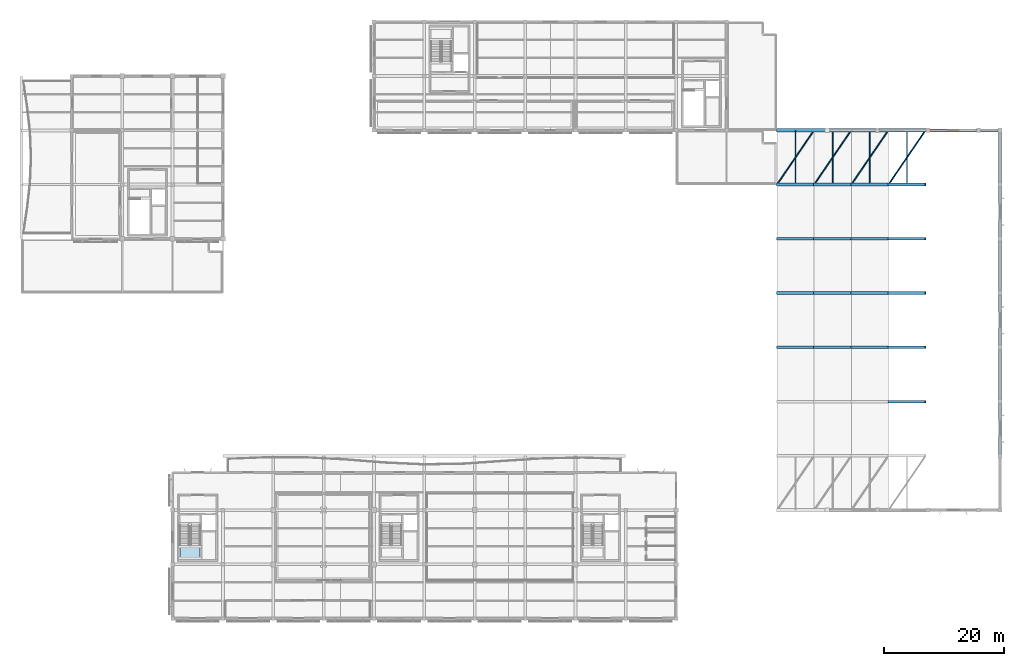
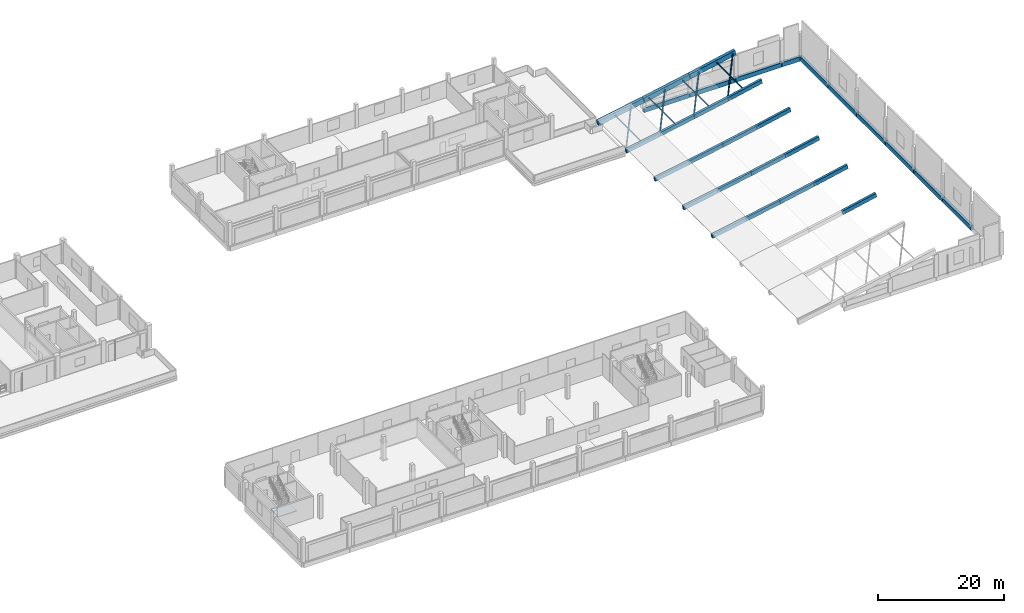
# One storey, part 4 of 34: 30 beams, 8 members, 1 slab, 1 element without a shape of its own.
"""IFC4 building model written with IfcOpenShell, lengths in metres."""

import ifcopenshell
import ifcopenshell.guid

model = None  # the IFC model being written
_history = None  # IfcOwnerHistory: only IFC2X3 demands one
_inside = {}  # id of a spatial element -> (the spatial element, [elements in it])
_under = {}  # id of a project, library or spatial element -> (it, [spatial elements below it])
_declared = {}  # id of a project -> (the project, [libraries it declares])
_typed = {}  # id of a type object -> (the type object, [elements of that type])
_made_of = {}  # id of a material, layer set ... -> (it, [elements and type objects made of it])


def new_model(schema):
    """Start an empty IFC model of exactly this schema.

    Asked for "IFC4X3", IfcOpenShell would pick the latest addendum, in which some entities
    have other attributes; the version numbers below select the first issue.
    IFC2X3 requires an IfcOwnerHistory on every rooted entity: one is made here for all.
    """
    global model, _history
    if schema == "IFC4X3":
        model = ifcopenshell.file(schema_version=(4, 3, 0, 0))
    else:
        model = ifcopenshell.file(schema=schema)
    _inside.clear()
    _under.clear()
    _declared.clear()
    _typed.clear()
    _made_of.clear()
    _history = None
    if model.schema == "IFC2X3":
        org = make("IfcOrganization", Name="unknown")
        user = make(
            "IfcPersonAndOrganization",
            ThePerson=make("IfcPerson", FamilyName="unknown"),
            TheOrganization=org,
        )
        app = make(
            "IfcApplication",
            ApplicationDeveloper=org,
            Version="unknown",
            ApplicationFullName="unknown",
            ApplicationIdentifier="unknown",
        )
        _history = make(
            "IfcOwnerHistory",
            OwningUser=user,
            OwningApplication=app,
            ChangeAction="ADDED",
            CreationDate=0,
        )
    return model


def make(cls, **values):
    """One entity of the class cls with the attributes given. An attribute that is None is left unset."""
    return model.create_entity(
        cls, **{name: value for name, value in values.items() if value is not None}
    )


def rooted(cls, **values):
    """An entity with a GlobalId (a new one), such as an element, a storey or a relation."""
    return make(cls, GlobalId=ifcopenshell.guid.new(), OwnerHistory=_history, **values)


def si_unit(unit_type, name, prefix=None):
    """IfcSIUnit, for example si_unit("LENGTHUNIT", "METRE", prefix="MILLI")."""
    return make("IfcSIUnit", UnitType=unit_type, Prefix=prefix, Name=name)


def assignment(units):
    """IfcUnitAssignment: the units of a project."""
    return None if units is None else make("IfcUnitAssignment", Units=units)


def point(xyz):
    """IfcCartesianPoint."""
    return None if xyz is None else make("IfcCartesianPoint", Coordinates=xyz)


def direction(xyz):
    """IfcDirection."""
    return None if xyz is None else make("IfcDirection", DirectionRatios=xyz)


def frame(location, z_axis=None, x_axis=None):
    """IfcAxis2Placement3D, a coordinate frame: its origin and axes. An axis left out is left unset."""
    return make(
        "IfcAxis2Placement3D",
        Location=point(location),
        Axis=direction(z_axis),
        RefDirection=direction(x_axis),
    )


def frame_2d(location, x_axis=None):
    """IfcAxis2Placement2D, a coordinate frame in the plane: its origin and x axis."""
    return make(
        "IfcAxis2Placement2D", Location=point(location), RefDirection=direction(x_axis)
    )


def origin():
    """The frame at (0, 0, 0) with its axes left unset."""
    return frame((0.0, 0.0, 0.0))


def origin_2d():
    """The frame at (0, 0) in the plane with its x axis left unset."""
    return frame_2d((0.0, 0.0))


def place(relative_to, where):
    """IfcLocalPlacement: puts the frame where relative to a parent placement (None: the world)."""
    return make(
        "IfcLocalPlacement", PlacementRelTo=relative_to, RelativePlacement=where
    )


def context(
    kind, dimensions, precision=None, world=None, true_north=None, identifier=None
):
    """IfcGeometricRepresentationContext, for example the 3D "Model" context."""
    return make(
        "IfcGeometricRepresentationContext",
        ContextIdentifier=identifier,
        ContextType=kind,
        CoordinateSpaceDimension=dimensions,
        Precision=precision,
        WorldCoordinateSystem=world,
        TrueNorth=true_north,
    )


def subcontext(parent, identifier, kind, view, scale=None):
    """IfcGeometricRepresentationSubContext, for example "Body" below "Model"."""
    return make(
        "IfcGeometricRepresentationSubContext",
        ContextIdentifier=identifier,
        ContextType=kind,
        ParentContext=parent,
        TargetScale=scale,
        TargetView=view,
    )


def project(units=None, contexts=None):
    """IfcProject with its units and contexts."""
    return rooted(
        "IfcProject",
        Name="project",
        RepresentationContexts=contexts,
        UnitsInContext=assignment(units),
    )


def spatial(cls, under=None, at=None, **own):
    """A site, building, storey or space (cls), placed at a placement, below another one or the project."""
    s = rooted(cls, ObjectPlacement=at, **own)
    if under is not None:
        _under.setdefault(under.id(), (under, []))[1].append(s)
    return s


def polyline(points):
    """IfcPolyline through the points."""
    return make("IfcPolyline", Points=[point(p) for p in points])


def profile(cls, at=None, kind="AREA", **sizes):
    """A parametric profile (cls). Its sizes go by their IFC names, for example OverallWidth=200.0."""
    return make(cls, ProfileType=kind, Position=at, **sizes)


def rectangle(**sizes):
    """IfcRectangleProfileDef."""
    return profile("IfcRectangleProfileDef", **sizes)


def hollow_circle(**sizes):
    """IfcCircleHollowProfileDef."""
    return profile("IfcCircleHollowProfileDef", **sizes)


def outline(outer, holes=None, kind="AREA"):
    """IfcArbitraryClosedProfileDef: a profile drawn as a closed curve; with holes, ...WithVoids."""
    if holes is None:
        return make("IfcArbitraryClosedProfileDef", ProfileType=kind, OuterCurve=outer)
    return make(
        "IfcArbitraryProfileDefWithVoids",
        ProfileType=kind,
        OuterCurve=outer,
        InnerCurves=holes,
    )


def extrude(swept, where, along, depth):
    """IfcExtrudedAreaSolid: the profile swept, set in the frame where, extruded along a direction by depth."""
    return make(
        "IfcExtrudedAreaSolid",
        SweptArea=swept,
        Position=where,
        ExtrudedDirection=direction(along),
        Depth=depth,
    )


def shape(context_of_items, identifier, shape_type, items):
    """IfcShapeRepresentation: the items that make up one representation, for example the "Body"."""
    return make(
        "IfcShapeRepresentation",
        ContextOfItems=context_of_items,
        RepresentationIdentifier=identifier,
        RepresentationType=shape_type,
        Items=items,
    )


def material(Name=None, Category=None):
    """IfcMaterial."""
    return make("IfcMaterial", Name=Name, Category=Category)


def layer(
    of_material, thickness, ventilated=None, Name=None, Category=None, Priority=None
):
    """IfcMaterialLayer: one layer of a wall or slab, of a material (None: an air gap)."""
    return make(
        "IfcMaterialLayer",
        Material=of_material,
        LayerThickness=thickness,
        IsVentilated=ventilated,
        Name=Name,
        Category=Category,
        Priority=Priority,
    )


def layer_set(layers, Name=None):
    """IfcMaterialLayerSet."""
    return make("IfcMaterialLayerSet", MaterialLayers=layers, LayerSetName=Name)


def material_profile(
    of_material, cross_section, Name=None, Category=None, Priority=None
):
    """IfcMaterialProfile: a cross section and its material."""
    return make(
        "IfcMaterialProfile",
        Name=Name,
        Material=of_material,
        Profile=cross_section,
        Priority=Priority,
        Category=Category,
    )


def profile_set(profiles, Name=None, composite=None):
    """IfcMaterialProfileSet."""
    return make(
        "IfcMaterialProfileSet",
        Name=Name,
        MaterialProfiles=profiles,
        CompositeProfile=composite,
    )


def made_of(thing, what):
    """Note that an element or type object is made of a material, layer set ...; save() writes the relation."""
    if what is not None:
        _made_of.setdefault(what.id(), (what, []))[1].append(thing)
    return thing


def type_object(cls, material=None, **own):
    """A type object (cls), such as IfcWallType, which elements share."""
    return made_of(rooted(cls, **own), material)


def element(
    cls,
    number,
    at=None,
    inside=None,
    cuts=None,
    type_object=None,
    material=None,
    context=None,
    identifier="Body",
    shape_type=None,
    held_by="IfcProductDefinitionShape",
    body=None,
    shapes=None,
    **own,
):
    """One element of the class cls, such as IfcWall. Its Tag is "e" and its number.

    at: its placement. inside: the storey or other place that contains it. cuts: it is an
    opening in that element (IfcRelVoidsElement). A single representation is given by context,
    identifier, shape_type and body (its items); several are given by shapes. held_by: the class
    of the entity that holds the representations. save() writes the other relations.
    """
    e = rooted(cls, Tag="e%d" % number, ObjectPlacement=at, **own)
    if body is not None:
        shapes = [shape(context, identifier, shape_type, body)]
    if shapes is not None:
        e.Representation = make(held_by, Representations=shapes)
    if inside is not None:
        _inside.setdefault(inside.id(), (inside, []))[1].append(e)
    if cuts is not None:
        rooted(
            "IfcRelVoidsElement", RelatingBuildingElement=cuts, RelatedOpeningElement=e
        )
    if type_object is not None:
        _typed.setdefault(type_object.id(), (type_object, []))[1].append(e)
    return made_of(e, material)


def aggregate(whole, parts):
    """IfcRelAggregates: a whole, such as a stair, and the parts it consists of."""
    return rooted("IfcRelAggregates", RelatingObject=whole, RelatedObjects=parts)


def save(model, path):
    """Write the relations noted so far, then the file.

    IfcRelAggregates (storeys below a building ...), IfcRelContainedInSpatialStructure (elements
    in a storey), IfcRelDefinesByType, IfcRelAssociatesMaterial and IfcRelDeclares: one each for
    every whole, place, type object, material and project.
    """
    for whole, parts in _under.values():
        aggregate(whole, parts)
    for where, things in _inside.values():
        rooted(
            "IfcRelContainedInSpatialStructure",
            RelatedElements=things,
            RelatingStructure=where,
        )
    for kind, things in _typed.values():
        rooted("IfcRelDefinesByType", RelatedObjects=things, RelatingType=kind)
    for what, things in _made_of.values():
        rooted("IfcRelAssociatesMaterial", RelatedObjects=things, RelatingMaterial=what)
    for by, libraries in _declared.values():
        rooted("IfcRelDeclares", RelatingContext=by, RelatedDefinitions=libraries)
    model.write(path)


model = new_model("IFC4")

# Units and contexts
model_context = context("Model", 3, precision=1e-05, world=origin(), true_north=direction((0.0, 1.0)))
body_context = subcontext(model_context, "Body", "Model", "MODEL_VIEW")
ifc_project = project(units=[si_unit("LENGTHUNIT", "METRE"), si_unit("AREAUNIT", "SQUARE_METRE"), si_unit("VOLUMEUNIT", "CUBIC_METRE"), si_unit("PLANEANGLEUNIT", "RADIAN"), si_unit("MASSUNIT", "GRAM", prefix="KILO")], contexts=[model_context])

# Site, building, storey
site_placement = place(None, origin())
site = spatial("IfcSite", under=ifc_project, at=site_placement, CompositionType="ELEMENT")
building_placement = place(site_placement, origin())
building = spatial("IfcBuilding", under=site, at=building_placement, Name="Khurvash Pelagic Aquarium", CompositionType="ELEMENT")
storey_placement = place(building_placement, frame((0.0, 0.0, 15.60009765625)))
storey = spatial("IfcBuildingStorey", under=building, at=storey_placement, Name="L03", CompositionType="ELEMENT", Elevation=15.60009765625)

# Beams
ifc_material_1 = material(Name="Steel-fibre concrete C40/50", Category="concrete")
ifc_material_profile_1 = material_profile(ifc_material_1, rectangle(XDim=0.449951171875, YDim=0.75, at=origin_2d()), Name="RC450X750")
ifc_profile_set_1 = profile_set([ifc_material_profile_1], Name="Steel-fibre concrete C40/50")
beam_type_1 = type_object("IfcBeamType", Name="BM-06", PredefinedType="BEAM", material=ifc_profile_set_1)
beam_1_placement = place(storey_placement, frame((144.610107421875, 38.800048828125, 3.6328125), z_axis=(0.977938462299, 0.0, 0.208893187913), x_axis=(0.0, 1.0, 0.0)))
element("IfcBeam", 1, at=beam_1_placement, inside=storey, type_object=beam_type_1, Name="Wave Shell Arch Rib BM-06 Grid F Seg 4", PredefinedType="BEAM", context=body_context, shape_type="SweptSolid", body=[
    extrude(rectangle(XDim=0.449951171875, YDim=0.75, at=origin_2d()), origin(), (0.0, 0.0, 1.0), 6.3193359375),
])
beam_2_placement = place(storey_placement, frame((126.010009765625, 47.85009765625, 0.072998046875), z_axis=(0.983411085361, 0.0, 0.181390840973), x_axis=(0.0, 1.0, 0.0)))
element("IfcBeam", 2, at=beam_2_placement, inside=storey, type_object=beam_type_1, Name="Wave Shell Arch Rib BM-06 Grid G Seg 1", PredefinedType="BEAM", context=body_context, shape_type="SweptSolid", body=[
    extrude(rectangle(XDim=0.449951171875, YDim=0.75, at=origin_2d()), origin(), (0.0, 0.0, 1.0), 6.2841796875),
])
beam_3_placement = place(storey_placement, frame((132.2099609375, 47.85009765625, 1.212890625), z_axis=(0.982256617998, 0.0, 0.187541825733), x_axis=(0.0, 1.0, 0.0)))
element("IfcBeam", 3, at=beam_3_placement, inside=storey, type_object=beam_type_1, Name="Wave Shell Arch Rib BM-06 Grid G Seg 2", PredefinedType="BEAM", context=body_context, shape_type="SweptSolid", body=[
    extrude(rectangle(XDim=0.449951171875, YDim=0.75, at=origin_2d()), origin(), (0.0, 0.0, 1.0), 6.29150390625),
])
beam_4_placement = place(storey_placement, frame((138.409912109375, 47.85009765625, 2.392822265625), z_axis=(0.980459825259, 0.0, 0.196719422157), x_axis=(0.0, 1.0, 0.0)))
element("IfcBeam", 4, at=beam_4_placement, inside=storey, type_object=beam_type_1, Name="Wave Shell Arch Rib BM-06 Grid G Seg 3", PredefinedType="BEAM", context=body_context, shape_type="SweptSolid", body=[
    extrude(rectangle(XDim=0.449951171875, YDim=0.75, at=origin_2d()), origin(), (0.0, 0.0, 1.0), 6.30322265625),
])
beam_5_placement = place(storey_placement, frame((144.610107421875, 47.85009765625, 3.6328125), z_axis=(0.977938462299, 0.0, 0.208893187913), x_axis=(0.0, 1.0, 0.0)))
element("IfcBeam", 5, at=beam_5_placement, inside=storey, type_object=beam_type_1, Name="Wave Shell Arch Rib BM-06 Grid G Seg 4", PredefinedType="BEAM", context=body_context, shape_type="SweptSolid", body=[
    extrude(rectangle(XDim=0.449951171875, YDim=0.75, at=origin_2d()), origin(), (0.0, 0.0, 1.0), 6.3193359375),
])
beam_6_placement = place(storey_placement, frame((126.010009765625, 56.89990234375, 0.072998046875), z_axis=(0.983411085361, 0.0, 0.181390840973), x_axis=(0.0, 1.0, 0.0)))
element("IfcBeam", 6, at=beam_6_placement, inside=storey, type_object=beam_type_1, Name="Wave Shell Arch Rib BM-06 Grid H Seg 1", PredefinedType="BEAM", context=body_context, shape_type="SweptSolid", body=[
    extrude(rectangle(XDim=0.449951171875, YDim=0.75, at=origin_2d()), origin(), (0.0, 0.0, 1.0), 6.2841796875),
])
beam_7_placement = place(storey_placement, frame((132.2099609375, 56.89990234375, 1.212890625), z_axis=(0.982256617998, 0.0, 0.187541825733), x_axis=(0.0, 1.0, 0.0)))
element("IfcBeam", 7, at=beam_7_placement, inside=storey, type_object=beam_type_1, Name="Wave Shell Arch Rib BM-06 Grid H Seg 2", PredefinedType="BEAM", context=body_context, shape_type="SweptSolid", body=[
    extrude(rectangle(XDim=0.449951171875, YDim=0.75, at=origin_2d()), origin(), (0.0, 0.0, 1.0), 6.29150390625),
])
beam_8_placement = place(storey_placement, frame((138.409912109375, 56.89990234375, 2.392822265625), z_axis=(0.980459825259, 0.0, 0.196719422157), x_axis=(0.0, 1.0, 0.0)))
element("IfcBeam", 8, at=beam_8_placement, inside=storey, type_object=beam_type_1, Name="Wave Shell Arch Rib BM-06 Grid H Seg 3", PredefinedType="BEAM", context=body_context, shape_type="SweptSolid", body=[
    extrude(rectangle(XDim=0.449951171875, YDim=0.75, at=origin_2d()), origin(), (0.0, 0.0, 1.0), 6.30322265625),
])
beam_9_placement = place(storey_placement, frame((144.610107421875, 56.89990234375, 3.6328125), z_axis=(0.977938462299, 0.0, 0.208893187913), x_axis=(0.0, 1.0, 0.0)))
element("IfcBeam", 9, at=beam_9_placement, inside=storey, type_object=beam_type_1, Name="Wave Shell Arch Rib BM-06 Grid H Seg 4", PredefinedType="BEAM", context=body_context, shape_type="SweptSolid", body=[
    extrude(rectangle(XDim=0.449951171875, YDim=0.75, at=origin_2d()), origin(), (0.0, 0.0, 1.0), 6.3193359375),
])
beam_10_placement = place(storey_placement, frame((126.010009765625, 65.949951171875, 0.072998046875), z_axis=(0.983411085361, 0.0, 0.181390840973), x_axis=(0.0, 1.0, 0.0)))
element("IfcBeam", 10, at=beam_10_placement, inside=storey, type_object=beam_type_1, Name="Wave Shell Arch Rib BM-06 Grid J Seg 1", PredefinedType="BEAM", context=body_context, shape_type="SweptSolid", body=[
    extrude(rectangle(XDim=0.449951171875, YDim=0.75, at=origin_2d()), origin(), (0.0, 0.0, 1.0), 6.2841796875),
])
beam_11_placement = place(storey_placement, frame((132.2099609375, 65.949951171875, 1.212890625), z_axis=(0.982256617998, 0.0, 0.187541825733), x_axis=(0.0, 1.0, 0.0)))
element("IfcBeam", 11, at=beam_11_placement, inside=storey, type_object=beam_type_1, Name="Wave Shell Arch Rib BM-06 Grid J Seg 2", PredefinedType="BEAM", context=body_context, shape_type="SweptSolid", body=[
    extrude(rectangle(XDim=0.449951171875, YDim=0.75, at=origin_2d()), origin(), (0.0, 0.0, 1.0), 6.29150390625),
])
beam_12_placement = place(storey_placement, frame((138.409912109375, 65.949951171875, 2.392822265625), z_axis=(0.980459825259, 0.0, 0.196719422157), x_axis=(0.0, 1.0, 0.0)))
element("IfcBeam", 12, at=beam_12_placement, inside=storey, type_object=beam_type_1, Name="Wave Shell Arch Rib BM-06 Grid J Seg 3", PredefinedType="BEAM", context=body_context, shape_type="SweptSolid", body=[
    extrude(rectangle(XDim=0.449951171875, YDim=0.75, at=origin_2d()), origin(), (0.0, 0.0, 1.0), 6.30322265625),
])
beam_13_placement = place(storey_placement, frame((144.610107421875, 65.949951171875, 3.6328125), z_axis=(0.977938462299, 0.0, 0.208893187913), x_axis=(0.0, 1.0, 0.0)))
element("IfcBeam", 13, at=beam_13_placement, inside=storey, type_object=beam_type_1, Name="Wave Shell Arch Rib BM-06 Grid J Seg 4", PredefinedType="BEAM", context=body_context, shape_type="SweptSolid", body=[
    extrude(rectangle(XDim=0.449951171875, YDim=0.75, at=origin_2d()), origin(), (0.0, 0.0, 1.0), 6.3193359375),
])
beam_14_placement = place(storey_placement, frame((126.010009765625, 75.0, 0.072998046875), z_axis=(0.983411085361, 0.0, 0.181390840973), x_axis=(0.0, 1.0, 0.0)))
element("IfcBeam", 14, at=beam_14_placement, inside=storey, type_object=beam_type_1, Name="Wave Shell Arch Rib BM-06 Grid K Seg 1", PredefinedType="BEAM", context=body_context, shape_type="SweptSolid", body=[
    extrude(rectangle(XDim=0.449951171875, YDim=0.75, at=origin_2d()), origin(), (0.0, 0.0, 1.0), 6.2841796875),
])
beam_15_placement = place(storey_placement, frame((132.2099609375, 75.0, 1.212890625), z_axis=(0.982256617998, 0.0, 0.187541825733), x_axis=(0.0, 1.0, 0.0)))
element("IfcBeam", 15, at=beam_15_placement, inside=storey, type_object=beam_type_1, Name="Wave Shell Arch Rib BM-06 Grid K Seg 2", PredefinedType="BEAM", context=body_context, shape_type="SweptSolid", body=[
    extrude(rectangle(XDim=0.449951171875, YDim=0.75, at=origin_2d()), origin(), (0.0, 0.0, 1.0), 6.29150390625),
])
beam_16_placement = place(storey_placement, frame((138.409912109375, 75.0, 2.392822265625), z_axis=(0.980459825259, 0.0, 0.196719422157), x_axis=(0.0, 1.0, 0.0)))
element("IfcBeam", 16, at=beam_16_placement, inside=storey, type_object=beam_type_1, Name="Wave Shell Arch Rib BM-06 Grid K Seg 3", PredefinedType="BEAM", context=body_context, shape_type="SweptSolid", body=[
    extrude(rectangle(XDim=0.449951171875, YDim=0.75, at=origin_2d()), origin(), (0.0, 0.0, 1.0), 6.30322265625),
])
beam_17_placement = place(storey_placement, frame((144.610107421875, 75.0, 3.6328125), z_axis=(0.977938462299, 0.0, 0.208893187913), x_axis=(0.0, 1.0, 0.0)))
element("IfcBeam", 17, at=beam_17_placement, inside=storey, type_object=beam_type_1, Name="Wave Shell Arch Rib BM-06 Grid K Seg 4", PredefinedType="BEAM", context=body_context, shape_type="SweptSolid", body=[
    extrude(rectangle(XDim=0.449951171875, YDim=0.75, at=origin_2d()), origin(), (0.0, 0.0, 1.0), 6.3193359375),
])

# Members
ifc_material_2 = material(Name="Steel S355J2", Category="steel")
ifc_material_profile_2 = material_profile(ifc_material_2, hollow_circle(Radius=0.109619140625, WallThickness=0.010009765625, at=origin_2d()), Name="CHS219X10")
ifc_profile_set_2 = profile_set([ifc_material_profile_2], Name="Steel S355J2")
member_type_1 = type_object("IfcMemberType", Name="CL-01", PredefinedType="COLLAR", material=ifc_profile_set_2)
for number, where, z_axis, x_axis, name in (
    (18, (129.10009765625, 75.02001953125, 0.56982421875), (0.0, 1.0, 0.0), (-1.0, 0.0, 0.0), "Wave Shell Collar Tie CL-01 00013"),
    (19, (135.300048828125, 75.02001953125, 1.72998046875), (0.0, 1.0, 0.0), (-1.0, 0.0, 0.0), "Wave Shell Collar Tie CL-01 00015"),
    (20, (141.5, 75.02001953125, 2.93994140625), (0.0, 1.0, 0.0), (-1.0, 0.0, 0.0), "Wave Shell Collar Tie CL-01 00017"),
    (21, (147.699951171875, 75.02001953125, 4.219970703125), (0.0, 1.0, 0.0), (-1.0, 0.0, 0.0), "Wave Shell Collar Tie CL-01 00019"),
):
    element("IfcMember", number, at=place(storey_placement, frame(where, z_axis=z_axis, x_axis=x_axis)), inside=storey, type_object=member_type_1, Name=name, PredefinedType="COLLAR", context=body_context, shape_type="SweptSolid", body=[
        extrude(hollow_circle(Radius=0.109619140625, WallThickness=0.010009765625, at=origin_2d()), origin(), (0.0, 0.0, 1.0), 9.010009765625),
    ])

# Beams
ifc_material_3 = material(Name="Concrete C40/50", Category="concrete")
ifc_material_profile_3 = material_profile(ifc_material_3, rectangle(XDim=0.550048828125, YDim=0.949951171875, at=origin_2d()), Name="RC550X950")
ifc_profile_set_3 = profile_set([ifc_material_profile_3], Name="Concrete C40/50")
beam_type_2 = type_object("IfcBeamType", Name="SEB-02", PredefinedType="SPANDREL", material=ifc_profile_set_3)
beam_18_placement = place(storey_placement, frame((126.0400390625, 84.050048828125, -0.025146484375), z_axis=(0.982892098208, 0.0, 0.184182309902), x_axis=(0.0, 1.0, 0.0)))
element("IfcBeam", 22, at=beam_18_placement, inside=storey, type_object=beam_type_2, Name="Wave Shell North Raking Spandrel Edge Beam SEB-02", PredefinedType="SPANDREL", context=body_context, shape_type="SweptSolid", body=[
    extrude(rectangle(XDim=0.550048828125, YDim=0.949951171875, at=origin_2d()), origin(), (0.0, 0.0, 1.0), 8.46484375),
])
beam_19_placement = place(storey_placement, frame((134.43994140625, 84.050048828125, 1.533935546875), z_axis=(0.98110201071, 0.0, 0.193491200269), x_axis=(0.0, 1.0, 0.0)))
element("IfcBeam", 23, at=beam_19_placement, inside=storey, type_object=beam_type_2, Name="Wave Shell North Raking Spandrel Edge Beam SEB-02", PredefinedType="SPANDREL", context=body_context, shape_type="SweptSolid", body=[
    extrude(rectangle(XDim=0.550048828125, YDim=0.949951171875, at=origin_2d()), origin(), (0.0, 0.0, 1.0), 8.480224609375),
])
beam_20_placement = place(storey_placement, frame((142.840087890625, 84.050048828125, 3.1748046875), z_axis=(0.978086284867, 0.0, 0.20819995042), x_axis=(0.0, 1.0, 0.0)))
element("IfcBeam", 24, at=beam_20_placement, inside=storey, type_object=beam_type_2, Name="Wave Shell North Raking Spandrel Edge Beam SEB-02", PredefinedType="SPANDREL", context=body_context, shape_type="SweptSolid", body=[
    extrude(rectangle(XDim=0.550048828125, YDim=0.949951171875, at=origin_2d()), origin(), (0.0, 0.0, 1.0), 8.50634765625),
])
ifc_material_profile_4 = material_profile(ifc_material_3, rectangle(XDim=0.5, YDim=0.85009765625, at=origin_2d()), Name="RC500X850")
ifc_profile_set_4 = profile_set([ifc_material_profile_4], Name="Concrete C40/50")
beam_type_3 = type_object("IfcBeamType", Name="SEB-03", PredefinedType="SPANDREL", material=ifc_profile_set_4)
beam_21_placement = place(storey_placement, frame((134.43994140625, 84.050048828125, -0.425048828125), z_axis=(1.0, 0.0, 0.0), x_axis=(0.0, 1.0, 0.0)))
element("IfcBeam", 25, at=beam_21_placement, inside=storey, type_object=beam_type_3, Name="L03 Ocean Hall North Spandrel Tie Beam SEB-03", PredefinedType="SPANDREL", context=body_context, shape_type="SweptSolid", body=[
    extrude(rectangle(XDim=0.5, YDim=0.85009765625, at=origin_2d()), origin(), (0.0, 0.0, 1.0), 8.320068359375),
])
beam_22_placement = place(storey_placement, frame((142.840087890625, 84.050048828125, -0.425048828125), z_axis=(1.0, 0.0, 0.0), x_axis=(0.0, 1.0, 0.0)))
element("IfcBeam", 26, at=beam_22_placement, inside=storey, type_object=beam_type_3, Name="L03 Ocean Hall North Spandrel Tie Beam SEB-03", PredefinedType="SPANDREL", context=body_context, shape_type="SweptSolid", body=[
    extrude(rectangle(XDim=0.5, YDim=0.85009765625, at=origin_2d()), origin(), (0.0, 0.0, 1.0), 8.31982421875),
])
beam_23_placement = place(storey_placement, frame((151.239990234375, 84.050048828125, -0.425048828125), z_axis=(1.0, 0.0, 0.0), x_axis=(0.0, 1.0, 0.0)))
element("IfcBeam", 27, at=beam_23_placement, inside=storey, type_object=beam_type_3, Name="L03 Ocean Hall North Spandrel Tie Beam SEB-03", PredefinedType="SPANDREL", context=body_context, shape_type="SweptSolid", body=[
    extrude(rectangle(XDim=0.5, YDim=0.85009765625, at=origin_2d()), origin(), (0.0, 0.0, 1.0), 8.320068359375),
])
beam_24_placement = place(storey_placement, frame((159.639892578125, 84.050048828125, -0.425048828125), z_axis=(1.0, 0.0, 0.0), x_axis=(0.0, 1.0, 0.0)))
element("IfcBeam", 28, at=beam_24_placement, inside=storey, type_object=beam_type_3, Name="L03 Ocean Hall North Spandrel Tie Beam SEB-03", PredefinedType="SPANDREL", context=body_context, shape_type="SweptSolid", body=[
    extrude(rectangle(XDim=0.5, YDim=0.85009765625, at=origin_2d()), origin(), (0.0, 0.0, 1.0), 3.52001953125),
])
for number, where, z_axis, x_axis, name in (
    (29, (163.199951171875, 29.7900390625, -0.425048828125), (0.0, 1.0, 0.0), (-1.0, 0.0, 0.0), "L03 Ocean Hall East Spandrel Tie Beam SEB-03"),
    (30, (163.199951171875, 38.840087890625, -0.425048828125), (0.0, 1.0, 0.0), (-1.0, 0.0, 0.0), "L03 Ocean Hall East Spandrel Tie Beam SEB-03"),
):
    element("IfcBeam", number, at=place(storey_placement, frame(where, z_axis=z_axis, x_axis=x_axis)), inside=storey, type_object=beam_type_3, Name=name, PredefinedType="SPANDREL", context=body_context, shape_type="SweptSolid", body=[
        extrude(rectangle(XDim=0.5, YDim=0.85009765625, at=origin_2d()), origin(), (0.0, 0.0, 1.0), 8.969970703125),
    ])
beam_25_placement = place(storey_placement, frame((163.199951171875, 47.889892578125, -0.425048828125), z_axis=(0.0, 1.0, 0.0), x_axis=(-1.0, 0.0, 0.0)))
element("IfcBeam", 31, at=beam_25_placement, inside=storey, type_object=beam_type_3, Name="L03 Ocean Hall East Spandrel Tie Beam SEB-03", PredefinedType="SPANDREL", context=body_context, shape_type="SweptSolid", body=[
    extrude(rectangle(XDim=0.5, YDim=0.85009765625, at=origin_2d()), origin(), (0.0, 0.0, 1.0), 8.97021484375),
])
for number, where, z_axis, x_axis, name in (
    (32, (163.199951171875, 56.93994140625, -0.425048828125), (0.0, 1.0, 0.0), (-1.0, 0.0, 0.0), "L03 Ocean Hall East Spandrel Tie Beam SEB-03"),
    (33, (163.199951171875, 65.989990234375, -0.425048828125), (0.0, 1.0, 0.0), (-1.0, 0.0, 0.0), "L03 Ocean Hall East Spandrel Tie Beam SEB-03"),
    (34, (163.199951171875, 75.0400390625, -0.425048828125), (0.0, 1.0, 0.0), (-1.0, 0.0, 0.0), "L03 Ocean Hall East Spandrel Tie Beam SEB-03"),
):
    element("IfcBeam", number, at=place(storey_placement, frame(where, z_axis=z_axis, x_axis=x_axis)), inside=storey, type_object=beam_type_3, Name=name, PredefinedType="SPANDREL", context=body_context, shape_type="SweptSolid", body=[
        extrude(rectangle(XDim=0.5, YDim=0.85009765625, at=origin_2d()), origin(), (0.0, 0.0, 1.0), 8.969970703125),
    ])

# Members
ifc_material_profile_5 = material_profile(ifc_material_2, hollow_circle(Radius=0.136474609375, WallThickness=0.012451171875, at=origin_2d()), Name="CHS273X12")
ifc_profile_set_5 = profile_set([ifc_material_profile_5], Name="Steel S355J2")
member_type_2 = type_object("IfcMemberType", Name="SR-01", PredefinedType="STRUT", material=ifc_profile_set_5)
member_1_placement = place(storey_placement, frame((126.0400390625, 75.0400390625, 0.0), z_axis=(0.560507434639, 0.821542412578, 0.104400574952), x_axis=(-0.826056540079, 0.563587253753, 0.0)))
element("IfcMember", 35, at=member_1_placement, inside=storey, type_object=member_type_2, Name="Wave Shell Compression Strut SR-01 00014", PredefinedType="STRUT", context=body_context, shape_type="SweptSolid", body=[
    extrude(hollow_circle(Radius=0.136474609375, WallThickness=0.012451171875, at=origin_2d()), origin(), (0.0, 0.0, 1.0), 10.91845703125),
])
member_2_placement = place(storey_placement, frame((132.239990234375, 75.0400390625, 1.139892578125), z_axis=(0.56030453922, 0.821212265657, 0.108024247569), x_axis=(-0.826046072888, 0.563602595334, 0.0)))
element("IfcMember", 36, at=member_2_placement, inside=storey, type_object=member_type_2, Name="Wave Shell Compression Strut SR-01 00016", PredefinedType="STRUT", context=body_context, shape_type="SweptSolid", body=[
    extrude(hollow_circle(Radius=0.136474609375, WallThickness=0.012451171875, at=origin_2d()), origin(), (0.0, 0.0, 1.0), 10.9228515625),
])
member_3_placement = place(storey_placement, frame((138.43994140625, 75.0400390625, 2.31982421875), z_axis=(0.559963579642, 0.820712537084, 0.113453607029), x_axis=(-0.826046072888, 0.563602595334, 0.0)))
element("IfcMember", 37, at=member_3_placement, inside=storey, type_object=member_type_2, Name="Wave Shell Compression Strut SR-01 00018", PredefinedType="STRUT", context=body_context, shape_type="SweptSolid", body=[
    extrude(hollow_circle(Radius=0.136474609375, WallThickness=0.012451171875, at=origin_2d()), origin(), (0.0, 0.0, 1.0), 10.929443359375),
])
member_4_placement = place(storey_placement, frame((144.639892578125, 75.0400390625, 3.559814453125), z_axis=(0.559483696918, 0.820009195328, 0.120676892821), x_axis=(-0.826046072888, 0.563602595334, 0.0)))
element("IfcMember", 38, at=member_4_placement, inside=storey, type_object=member_type_2, Name="Wave Shell Compression Strut SR-01 00020", PredefinedType="STRUT", context=body_context, shape_type="SweptSolid", body=[
    extrude(hollow_circle(Radius=0.136474609375, WallThickness=0.012451171875, at=origin_2d()), origin(), (0.0, 0.0, 1.0), 10.93896484375),
])

# Stair, slab
ifc_material_4 = material(Name="Concrete C35/45", Category="concrete")
stair_type = type_object("IfcStairType", Name="ST-01", PredefinedType="HALF_TURN_STAIR", material=ifc_material_4)
stair_placement = place(storey_placement, origin())
stair = element("IfcStair", 39, at=stair_placement, inside=storey, type_object=stair_type, Name="L03 Protected Exit Stair ST-01", PredefinedType="HALF_TURN_STAIR")
ifc_layer = layer(ifc_material_4, 0.199951171875)
ifc_layer_set = layer_set([ifc_layer], Name="Concrete C35/45")
slab_type = type_object("IfcSlabType", Name="SL-LND-200", PredefinedType="LANDING", material=ifc_layer_set)
slab_placement = place(storey_placement, frame((0.0, 0.0, 2.0498046875)))
slab = element("IfcSlab", 40, at=slab_placement, type_object=slab_type, Name="ST-01 landing 1", PredefinedType="LANDING", context=body_context, shape_type="SweptSolid", body=[
    extrude(outline(polyline([(26.39990234375, 14.830078125), (26.39990234375, 12.449951171875), (29.800048828125, 12.449951171875), (29.800048828125, 14.830078125), (26.39990234375, 14.830078125)])), origin(), (0.0, 0.0, 1.0), 0.2001953125),
])
aggregate(stair, [slab])

save(model, "model.ifc")
